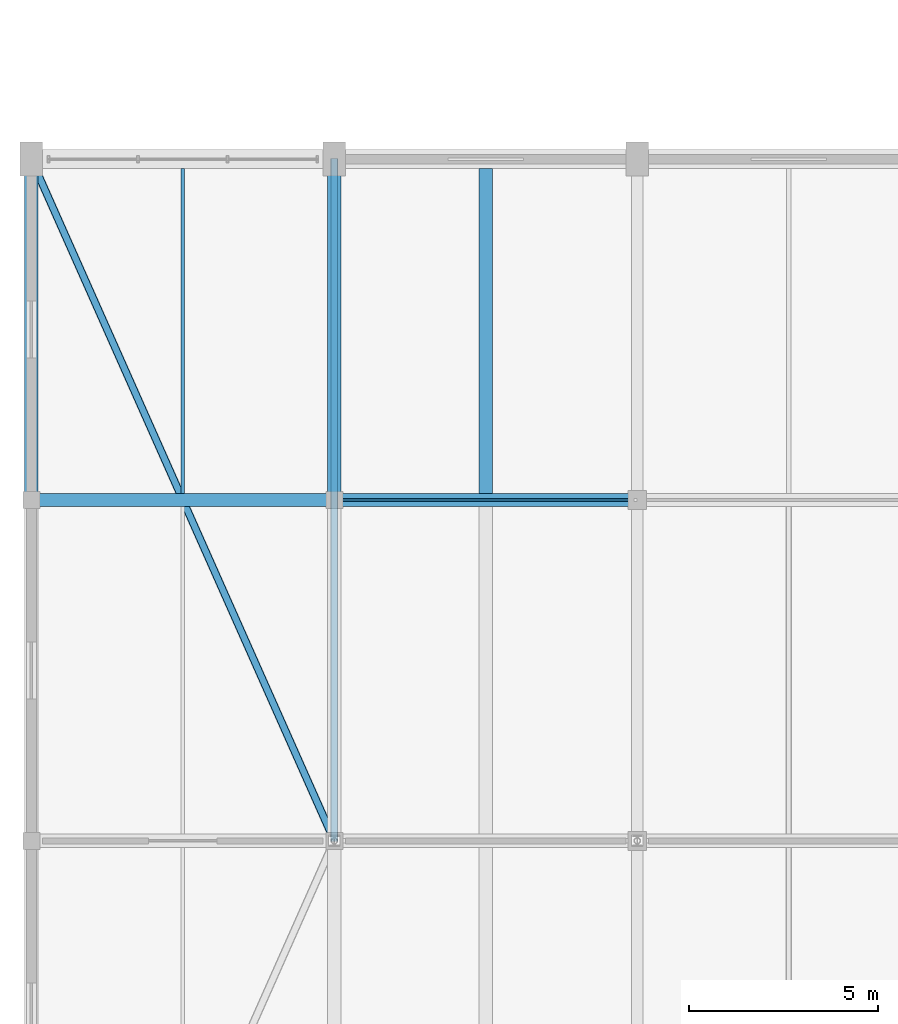
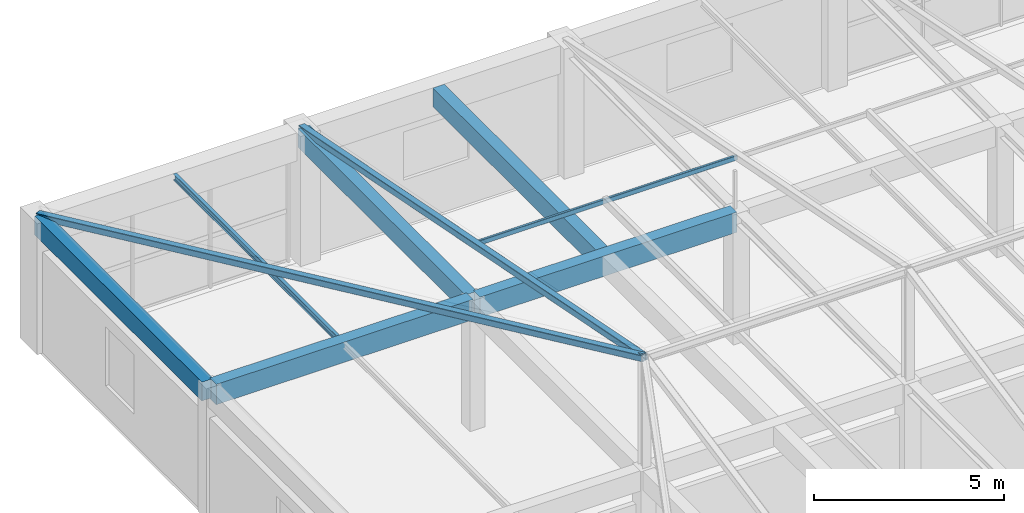
# One storey, part 11 of 65: 6 beams, 3 members.
"""IFC4 building model written with IfcOpenShell, lengths in metres."""

import ifcopenshell
import ifcopenshell.guid

model = None  # the IFC model being written
_history = None  # IfcOwnerHistory: only IFC2X3 demands one
_inside = {}  # id of a spatial element -> (the spatial element, [elements in it])
_under = {}  # id of a project, library or spatial element -> (it, [spatial elements below it])
_declared = {}  # id of a project -> (the project, [libraries it declares])
_typed = {}  # id of a type object -> (the type object, [elements of that type])
_made_of = {}  # id of a material, layer set ... -> (it, [elements and type objects made of it])


def new_model(schema):
    """Start an empty IFC model of exactly this schema.

    Asked for "IFC4X3", IfcOpenShell would pick the latest addendum, in which some entities
    have other attributes; the version numbers below select the first issue.
    IFC2X3 requires an IfcOwnerHistory on every rooted entity: one is made here for all.
    """
    global model, _history
    if schema == "IFC4X3":
        model = ifcopenshell.file(schema_version=(4, 3, 0, 0))
    else:
        model = ifcopenshell.file(schema=schema)
    _inside.clear()
    _under.clear()
    _declared.clear()
    _typed.clear()
    _made_of.clear()
    _history = None
    if model.schema == "IFC2X3":
        org = make("IfcOrganization", Name="unknown")
        user = make(
            "IfcPersonAndOrganization",
            ThePerson=make("IfcPerson", FamilyName="unknown"),
            TheOrganization=org,
        )
        app = make(
            "IfcApplication",
            ApplicationDeveloper=org,
            Version="unknown",
            ApplicationFullName="unknown",
            ApplicationIdentifier="unknown",
        )
        _history = make(
            "IfcOwnerHistory",
            OwningUser=user,
            OwningApplication=app,
            ChangeAction="ADDED",
            CreationDate=0,
        )
    return model


def make(cls, **values):
    """One entity of the class cls with the attributes given. An attribute that is None is left unset."""
    return model.create_entity(
        cls, **{name: value for name, value in values.items() if value is not None}
    )


def rooted(cls, **values):
    """An entity with a GlobalId (a new one), such as an element, a storey or a relation."""
    return make(cls, GlobalId=ifcopenshell.guid.new(), OwnerHistory=_history, **values)


def si_unit(unit_type, name, prefix=None):
    """IfcSIUnit, for example si_unit("LENGTHUNIT", "METRE", prefix="MILLI")."""
    return make("IfcSIUnit", UnitType=unit_type, Prefix=prefix, Name=name)


def assignment(units):
    """IfcUnitAssignment: the units of a project."""
    return None if units is None else make("IfcUnitAssignment", Units=units)


def point(xyz):
    """IfcCartesianPoint."""
    return None if xyz is None else make("IfcCartesianPoint", Coordinates=xyz)


def direction(xyz):
    """IfcDirection."""
    return None if xyz is None else make("IfcDirection", DirectionRatios=xyz)


def frame(location, z_axis=None, x_axis=None):
    """IfcAxis2Placement3D, a coordinate frame: its origin and axes. An axis left out is left unset."""
    return make(
        "IfcAxis2Placement3D",
        Location=point(location),
        Axis=direction(z_axis),
        RefDirection=direction(x_axis),
    )


def frame_2d(location, x_axis=None):
    """IfcAxis2Placement2D, a coordinate frame in the plane: its origin and x axis."""
    return make(
        "IfcAxis2Placement2D", Location=point(location), RefDirection=direction(x_axis)
    )


def origin():
    """The frame at (0, 0, 0) with its axes left unset."""
    return frame((0.0, 0.0, 0.0))


def origin_2d():
    """The frame at (0, 0) in the plane with its x axis left unset."""
    return frame_2d((0.0, 0.0))


def place(relative_to, where):
    """IfcLocalPlacement: puts the frame where relative to a parent placement (None: the world)."""
    return make(
        "IfcLocalPlacement", PlacementRelTo=relative_to, RelativePlacement=where
    )


def context(
    kind, dimensions, precision=None, world=None, true_north=None, identifier=None
):
    """IfcGeometricRepresentationContext, for example the 3D "Model" context."""
    return make(
        "IfcGeometricRepresentationContext",
        ContextIdentifier=identifier,
        ContextType=kind,
        CoordinateSpaceDimension=dimensions,
        Precision=precision,
        WorldCoordinateSystem=world,
        TrueNorth=true_north,
    )


def subcontext(parent, identifier, kind, view, scale=None):
    """IfcGeometricRepresentationSubContext, for example "Body" below "Model"."""
    return make(
        "IfcGeometricRepresentationSubContext",
        ContextIdentifier=identifier,
        ContextType=kind,
        ParentContext=parent,
        TargetScale=scale,
        TargetView=view,
    )


def project(units=None, contexts=None):
    """IfcProject with its units and contexts."""
    return rooted(
        "IfcProject",
        Name="project",
        RepresentationContexts=contexts,
        UnitsInContext=assignment(units),
    )


def spatial(cls, under=None, at=None, **own):
    """A site, building, storey or space (cls), placed at a placement, below another one or the project."""
    s = rooted(cls, ObjectPlacement=at, **own)
    if under is not None:
        _under.setdefault(under.id(), (under, []))[1].append(s)
    return s


def profile(cls, at=None, kind="AREA", **sizes):
    """A parametric profile (cls). Its sizes go by their IFC names, for example OverallWidth=200.0."""
    return make(cls, ProfileType=kind, Position=at, **sizes)


def rectangle(**sizes):
    """IfcRectangleProfileDef."""
    return profile("IfcRectangleProfileDef", **sizes)


def hollow_rectangle(**sizes):
    """IfcRectangleHollowProfileDef."""
    return profile("IfcRectangleHollowProfileDef", **sizes)


def i_section(**sizes):
    """IfcIShapeProfileDef."""
    return profile("IfcIShapeProfileDef", **sizes)


def extrude(swept, where, along, depth):
    """IfcExtrudedAreaSolid: the profile swept, set in the frame where, extruded along a direction by depth."""
    return make(
        "IfcExtrudedAreaSolid",
        SweptArea=swept,
        Position=where,
        ExtrudedDirection=direction(along),
        Depth=depth,
    )


def shape(context_of_items, identifier, shape_type, items):
    """IfcShapeRepresentation: the items that make up one representation, for example the "Body"."""
    return make(
        "IfcShapeRepresentation",
        ContextOfItems=context_of_items,
        RepresentationIdentifier=identifier,
        RepresentationType=shape_type,
        Items=items,
    )


def material(Name=None, Category=None):
    """IfcMaterial."""
    return make("IfcMaterial", Name=Name, Category=Category)


def material_profile(
    of_material, cross_section, Name=None, Category=None, Priority=None
):
    """IfcMaterialProfile: a cross section and its material."""
    return make(
        "IfcMaterialProfile",
        Name=Name,
        Material=of_material,
        Profile=cross_section,
        Priority=Priority,
        Category=Category,
    )


def profile_set(profiles, Name=None, composite=None):
    """IfcMaterialProfileSet."""
    return make(
        "IfcMaterialProfileSet",
        Name=Name,
        MaterialProfiles=profiles,
        CompositeProfile=composite,
    )


def made_of(thing, what):
    """Note that an element or type object is made of a material, layer set ...; save() writes the relation."""
    if what is not None:
        _made_of.setdefault(what.id(), (what, []))[1].append(thing)
    return thing


def type_object(cls, material=None, **own):
    """A type object (cls), such as IfcWallType, which elements share."""
    return made_of(rooted(cls, **own), material)


def element(
    cls,
    number,
    at=None,
    inside=None,
    cuts=None,
    type_object=None,
    material=None,
    context=None,
    identifier="Body",
    shape_type=None,
    held_by="IfcProductDefinitionShape",
    body=None,
    shapes=None,
    **own,
):
    """One element of the class cls, such as IfcWall. Its Tag is "e" and its number.

    at: its placement. inside: the storey or other place that contains it. cuts: it is an
    opening in that element (IfcRelVoidsElement). A single representation is given by context,
    identifier, shape_type and body (its items); several are given by shapes. held_by: the class
    of the entity that holds the representations. save() writes the other relations.
    """
    e = rooted(cls, Tag="e%d" % number, ObjectPlacement=at, **own)
    if body is not None:
        shapes = [shape(context, identifier, shape_type, body)]
    if shapes is not None:
        e.Representation = make(held_by, Representations=shapes)
    if inside is not None:
        _inside.setdefault(inside.id(), (inside, []))[1].append(e)
    if cuts is not None:
        rooted(
            "IfcRelVoidsElement", RelatingBuildingElement=cuts, RelatedOpeningElement=e
        )
    if type_object is not None:
        _typed.setdefault(type_object.id(), (type_object, []))[1].append(e)
    return made_of(e, material)


def aggregate(whole, parts):
    """IfcRelAggregates: a whole, such as a stair, and the parts it consists of."""
    return rooted("IfcRelAggregates", RelatingObject=whole, RelatedObjects=parts)


def save(model, path):
    """Write the relations noted so far, then the file.

    IfcRelAggregates (storeys below a building ...), IfcRelContainedInSpatialStructure (elements
    in a storey), IfcRelDefinesByType, IfcRelAssociatesMaterial and IfcRelDeclares: one each for
    every whole, place, type object, material and project.
    """
    for whole, parts in _under.values():
        aggregate(whole, parts)
    for where, things in _inside.values():
        rooted(
            "IfcRelContainedInSpatialStructure",
            RelatedElements=things,
            RelatingStructure=where,
        )
    for kind, things in _typed.values():
        rooted("IfcRelDefinesByType", RelatedObjects=things, RelatingType=kind)
    for what, things in _made_of.values():
        rooted("IfcRelAssociatesMaterial", RelatedObjects=things, RelatingMaterial=what)
    for by, libraries in _declared.values():
        rooted("IfcRelDeclares", RelatingContext=by, RelatedDefinitions=libraries)
    model.write(path)


model = new_model("IFC4")

# Units and contexts
model_context = context("Model", 3, precision=1e-05, world=origin(), true_north=direction((0.0, 1.0)))
body_context = subcontext(model_context, "Body", "Model", "MODEL_VIEW")
ifc_project = project(units=[si_unit("LENGTHUNIT", "METRE"), si_unit("AREAUNIT", "SQUARE_METRE"), si_unit("VOLUMEUNIT", "CUBIC_METRE"), si_unit("PLANEANGLEUNIT", "RADIAN"), si_unit("MASSUNIT", "GRAM", prefix="KILO")], contexts=[model_context])

# Site, building, storey
site_placement = place(None, origin())
site = spatial("IfcSite", under=ifc_project, at=site_placement, CompositionType="ELEMENT")
building_placement = place(site_placement, origin())
building = spatial("IfcBuilding", under=site, at=building_placement, Name="Varnabhumi Central Station", CompositionType="ELEMENT")
storey_placement = place(building_placement, frame((0.0, 0.0, 24.60009765625)))
storey = spatial("IfcBuildingStorey", under=building, at=storey_placement, Name="L05", CompositionType="ELEMENT", Elevation=24.60009765625)

# Beams
ifc_material_1 = material(Name="Concrete M40", Category="concrete")
ifc_material_profile_1 = material_profile(ifc_material_1, rectangle(XDim=0.35009765625, YDim=0.60009765625, at=origin_2d()), Name="Concrete M40", Category="concrete")
ifc_profile_set_1 = profile_set([ifc_material_profile_1], Name="Concrete M40")
beam_type_1 = type_object("IfcBeamType", Name="BM-RC-350x600", PredefinedType="BEAM", material=ifc_profile_set_1)
for number, where, z_axis, x_axis, name in (
    (1, (32.0, 27.10009765625, 3.89990234375), (0.0, 1.0, 0.0), (-1.0, 0.0, 0.0), "Beam L05-5:D-E"),
    (2, (40.0, 27.10009765625, 3.89990234375), (0.0, 1.0, 0.0), (-1.0, 0.0, 0.0), "Beam L05-6:D-E"),
):
    element("IfcBeam", number, at=place(storey_placement, frame(where, z_axis=z_axis, x_axis=x_axis)), inside=storey, type_object=beam_type_1, Name=name, PredefinedType="BEAM", context=body_context, shape_type="SweptSolid", body=[
        extrude(rectangle(XDim=0.35009765625, YDim=0.60009765625, at=origin_2d()), origin(), (0.0, 0.0, 1.0), 8.7998046875),
    ])
ifc_material_profile_2 = material_profile(ifc_material_1, rectangle(XDim=0.35009765625, YDim=0.64990234375, at=origin_2d()), Name="Concrete M40", Category="concrete")
ifc_profile_set_2 = profile_set([ifc_material_profile_2], Name="Concrete M40")
beam_type_2 = type_object("IfcBeamType", Name="BM-RC-350x650", PredefinedType="BEAM", material=ifc_profile_set_2)
for number, where, z_axis, x_axis, name in (
    (3, (32.10009765625, 27.0, 3.875), (1.0, 0.0, 0.0), (0.0, 1.0, 0.0), "Beam L05-D:5-6"),
    (4, (40.10009765625, 27.0, 3.875), (1.0, 0.0, 0.0), (0.0, 1.0, 0.0), "Beam L05-D:6-7"),
):
    element("IfcBeam", number, at=place(storey_placement, frame(where, z_axis=z_axis, x_axis=x_axis)), inside=storey, type_object=beam_type_2, Name=name, PredefinedType="BEAM", context=body_context, shape_type="SweptSolid", body=[
        extrude(rectangle(XDim=0.35009765625, YDim=0.64990234375, at=origin_2d()), origin(), (0.0, 0.0, 1.0), 7.7998046875),
    ])
ifc_material_profile_3 = material_profile(ifc_material_1, rectangle(XDim=0.35009765625, YDim=0.60009765625, at=origin_2d()), Name="Concrete M40", Category="concrete")
ifc_profile_set_3 = profile_set([ifc_material_profile_3], Name="Concrete M40")
beam_type_3 = type_object("IfcBeamType", Name="BM-RC-600x350", PredefinedType="JOIST", material=ifc_profile_set_3)
beam_1_placement = place(storey_placement, frame((44.0, 27.175048828125, 3.89990234375), z_axis=(0.0, 1.0, 0.0), x_axis=(-1.0, 0.0, 0.0)))
element("IfcBeam", 5, at=beam_1_placement, inside=storey, type_object=beam_type_3, Name="Secondary Joist L05-6/7:D-E", PredefinedType="JOIST", context=body_context, shape_type="SweptSolid", body=[
    extrude(rectangle(XDim=0.35009765625, YDim=0.60009765625, at=origin_2d()), origin(), (0.0, 0.0, 1.0), 8.574951171875),
])
ifc_material_2 = material(Name="Structural steel E350", Category="steel")
ifc_material_profile_4 = material_profile(ifc_material_2, i_section(OverallWidth=0.10009765625, OverallDepth=0.199951171875, WebThickness=0.005615234375, FlangeThickness=0.0107421875, FilletRadius=0.010986328125, at=origin_2d()), Name="Structural steel E350", Category="steel")
ifc_profile_set_4 = profile_set([ifc_material_profile_4], Name="Structural steel E350")
beam_type_4 = type_object("IfcBeamType", Name="BM-STL-ISMB200", PredefinedType="JOIST", material=ifc_profile_set_4)
beam_2_placement = place(storey_placement, frame((36.0, 27.175048828125, 4.099853515625), z_axis=(0.0, 1.0, 0.0), x_axis=(-1.0, 0.0, 0.0)))
element("IfcBeam", 6, at=beam_2_placement, inside=storey, type_object=beam_type_4, Name="Secondary Joist L05-5/6:D-E", PredefinedType="JOIST", context=body_context, shape_type="SweptSolid", body=[
    extrude(i_section(OverallWidth=0.10009765625, OverallDepth=0.199951171875, WebThickness=0.005615234375, FlangeThickness=0.0107421875, FilletRadius=0.010986328125, at=origin_2d()), origin(), (0.0, 0.0, 1.0), 8.574951171875),
])

# Members
ifc_material_profile_5 = material_profile(ifc_material_2, hollow_rectangle(XDim=0.074951171875, YDim=0.14990234375, WallThickness=0.006103515625, InnerFilletRadius=0.006103515625, OuterFilletRadius=0.011962890625, at=origin_2d()), Name="Structural steel E350", Category="steel")
ifc_profile_set_5 = profile_set([ifc_material_profile_5], Name="Structural steel E350")
member_type_1 = type_object("IfcMemberType", Name="MBR-PURL-RHS150", PredefinedType="PURLIN", material=ifc_profile_set_5)
member_1_placement = place(storey_placement, frame((40.0, 27.0, 5.824951171875), z_axis=(1.0, 0.0, 0.0), x_axis=(0.0, 1.0, 0.0)))
element("IfcMember", 7, at=member_1_placement, inside=storey, type_object=member_type_1, Name="Mission Roof Purlin SW6E-2-N", PredefinedType="PURLIN", context=body_context, shape_type="SweptSolid", body=[
    extrude(hollow_rectangle(XDim=0.074951171875, YDim=0.14990234375, WallThickness=0.006103515625, InnerFilletRadius=0.006103515625, OuterFilletRadius=0.011962890625, at=origin_2d()), origin(), (0.0, 0.0, 1.0), 8.0),
])
ifc_material_profile_6 = material_profile(ifc_material_2, hollow_rectangle(XDim=0.199951171875, YDim=0.199951171875, WallThickness=0.010009765625, InnerFilletRadius=0.010009765625, OuterFilletRadius=0.02001953125, at=origin_2d()), Name="Structural steel E350", Category="steel")
ifc_profile_set_6 = profile_set([ifc_material_profile_6], Name="Structural steel E350")
member_type_2 = type_object("IfcMemberType", Name="MBR-RAFT-SHS200", PredefinedType="RAFTER", material=ifc_profile_set_6)
member_2_placement = place(storey_placement, frame((32.0, 36.0, 4.10986328125), z_axis=(0.399698916942, -0.899322563119, 0.177368833961), x_axis=(0.91381154862, 0.406138466053, 0.0)))
element("IfcMember", 8, at=member_2_placement, inside=storey, type_object=member_type_2, Name="Mission Roof Hip Rafter SW6E-EN", PredefinedType="RAFTER", context=body_context, shape_type="SweptSolid", body=[
    extrude(hollow_rectangle(XDim=0.199951171875, YDim=0.199951171875, WallThickness=0.010009765625, InnerFilletRadius=0.010009765625, OuterFilletRadius=0.02001953125, at=origin_2d()), origin(), (0.0, 0.0, 1.0), 20.01513671875),
])
member_3_placement = place(storey_placement, frame((40.0, 36.0, 4.10986328125), z_axis=(0.0, -0.981100761594, 0.193497533832), x_axis=(1.0, 0.0, 0.0)))
element("IfcMember", 9, at=member_3_placement, inside=storey, type_object=member_type_2, Name="Mission Roof North Rafter SW6E-2", PredefinedType="RAFTER", context=body_context, shape_type="SweptSolid", body=[
    extrude(hollow_rectangle(XDim=0.199951171875, YDim=0.199951171875, WallThickness=0.010009765625, InnerFilletRadius=0.010009765625, OuterFilletRadius=0.02001953125, at=origin_2d()), origin(), (0.0, 0.0, 1.0), 18.3466796875),
])

save(model, "model.ifc")
